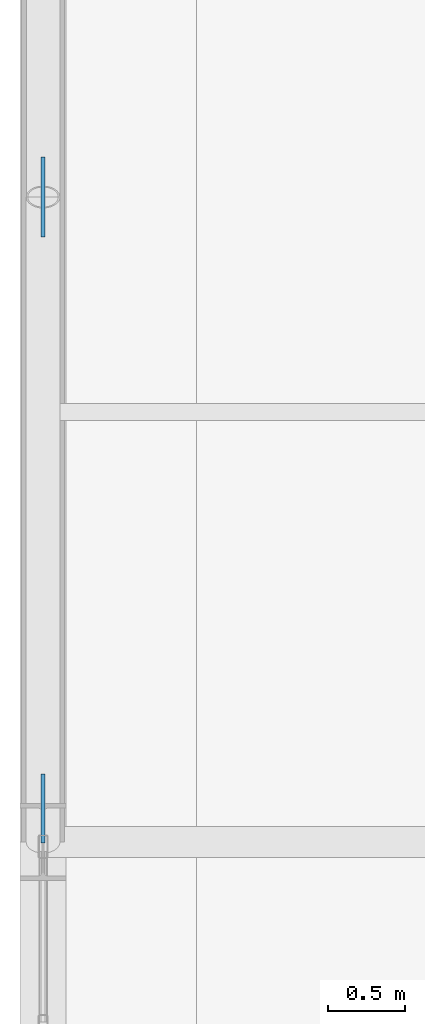
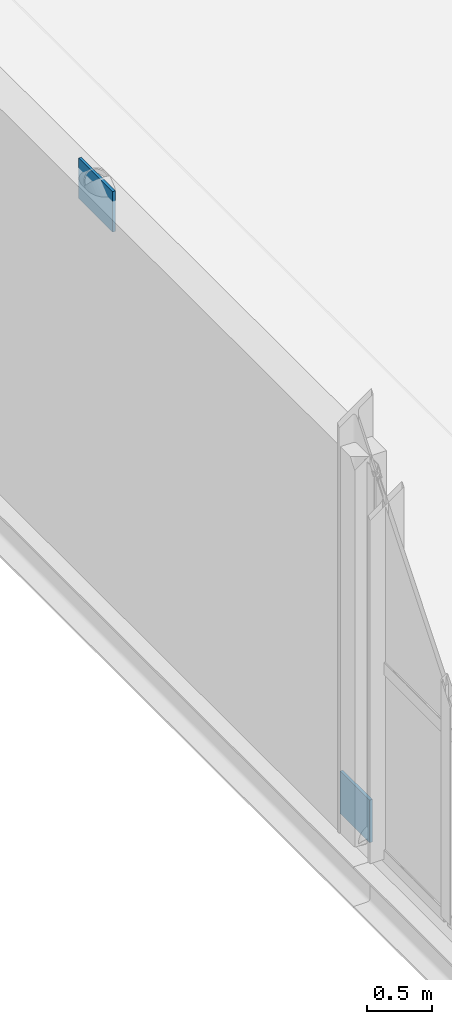
# One storey, part 53 of 65: 2 discrete accessories.
"""IFC4 building model written with IfcOpenShell, lengths in metres."""

from ifc_helpers import new_model, si_unit, direction, frame, origin, origin_2d, place, context, subcontext, project, spatial, rectangle, extrude, material, type_object, element, save


model = new_model("IFC4")

# Units and contexts
model_context = context("Model", 3, precision=1e-05, world=origin(), true_north=direction((0.0, 1.0)))
body_context = subcontext(model_context, "Body", "Model", "MODEL_VIEW")
ifc_project = project(units=[si_unit("LENGTHUNIT", "METRE"), si_unit("AREAUNIT", "SQUARE_METRE"), si_unit("VOLUMEUNIT", "CUBIC_METRE"), si_unit("PLANEANGLEUNIT", "RADIAN"), si_unit("MASSUNIT", "GRAM", prefix="KILO")], contexts=[model_context])

# Site, building, storey
site_placement = place(None, origin())
site = spatial("IfcSite", under=ifc_project, at=site_placement, CompositionType="ELEMENT")
building_placement = place(site_placement, origin())
building = spatial("IfcBuilding", under=site, at=building_placement, Name="Qalvenar Corner Mobility Hub", CompositionType="ELEMENT")
storey_placement = place(building_placement, frame((0.0, 0.0, 17.39990234375)))
storey = spatial("IfcBuildingStorey", under=building, at=storey_placement, Name="L04", CompositionType="ELEMENT", Elevation=17.39990234375)

# Discrete accessories
ifc_material = material(Name="Steel S355", Category="steel")
discrete_accessory_type = type_object("IfcDiscreteAccessoryType", Name="ACC-GUSSET-PLT", PredefinedType="BRACKET", material=ifc_material)
discrete_accessory_1_placement = place(storey_placement, frame((0.0, 29.39990234375, 3.330078125), z_axis=(0.0, 0.0, 1.0), x_axis=(0.0, 1.0, 0.0)))
element("IfcDiscreteAccessory", 1, at=discrete_accessory_1_placement, inside=storey, type_object=discrete_accessory_type, Name="Chevron Apex Gusset Plate GP-A-028", PredefinedType="BRACKET", context=body_context, shape_type="SweptSolid", body=[
    extrude(rectangle(XDim=0.52001953125, YDim=0.02490234375, at=origin_2d()), origin(), (0.0, 0.0, 1.0), 0.3798828125),
])
discrete_accessory_2_placement = place(storey_placement, frame((0.0, 25.419921875, 0.000244140625), z_axis=(0.0, 0.0, 1.0), x_axis=(0.0, 1.0, 0.0)))
element("IfcDiscreteAccessory", 2, at=discrete_accessory_2_placement, inside=storey, type_object=discrete_accessory_type, Name="Brace Base Gusset Plate GP-B-029", PredefinedType="BRACKET", context=body_context, shape_type="SweptSolid", body=[
    extrude(rectangle(XDim=0.449951171875, YDim=0.02490234375, at=origin_2d()), origin(), (0.0, 0.0, 1.0), 0.39990234375),
])

save(model, "model.ifc")
